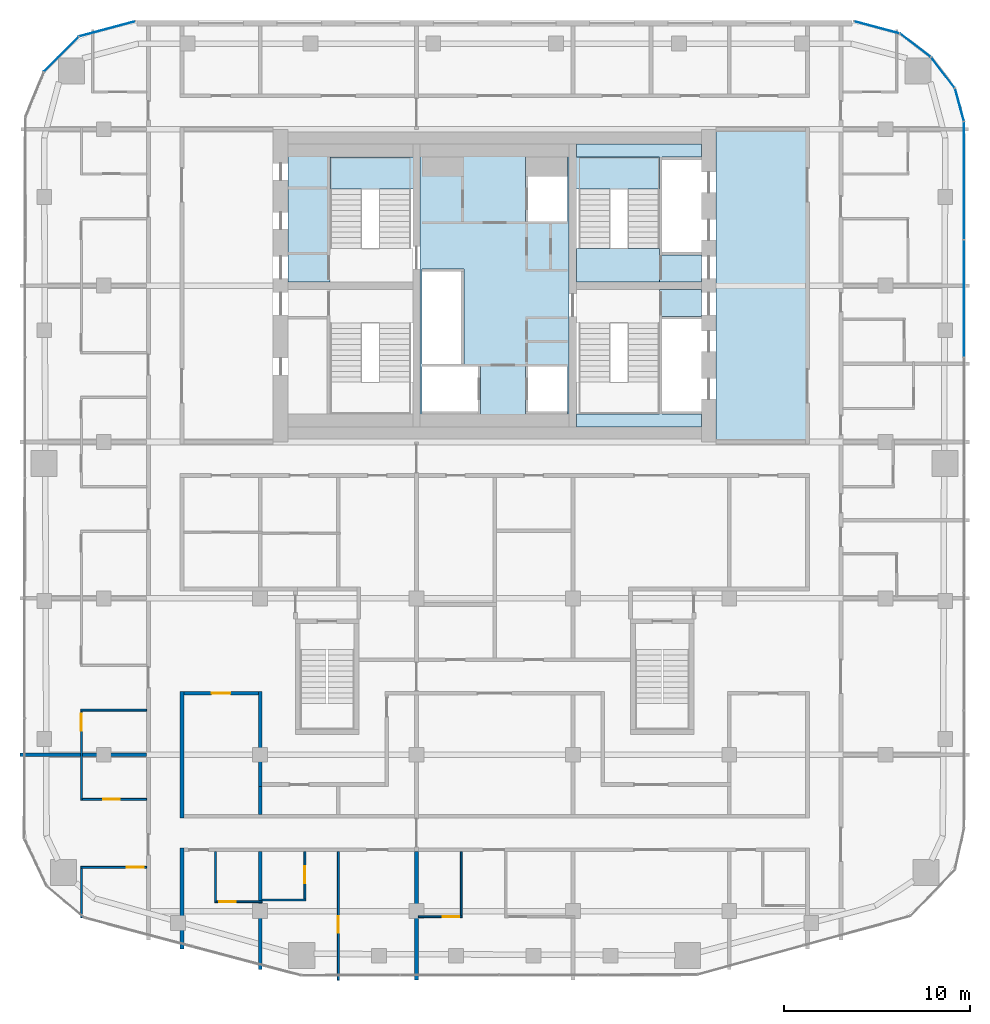
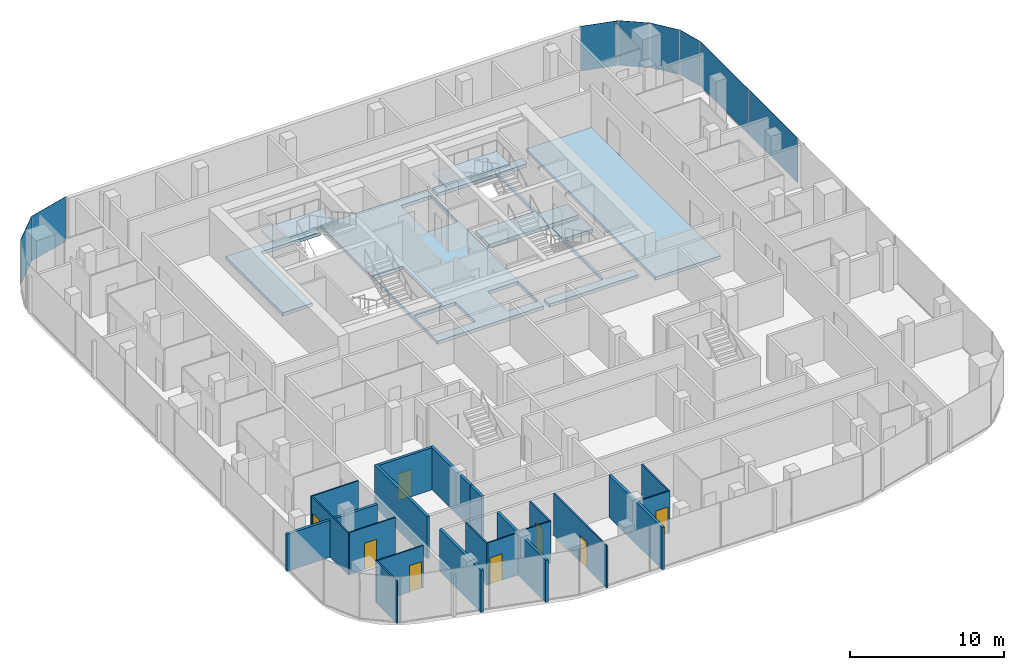
# One storey, part 13 of 21: 20 walls, 8 doors, 8 plates, 8 slabs, 8 openings, 9 elements without a shape of their own.
"""IFC4 building model written with IfcOpenShell, lengths in metres."""

import ifcopenshell
import ifcopenshell.guid

model = None  # the IFC model being written
_history = None  # IfcOwnerHistory: only IFC2X3 demands one
_inside = {}  # id of a spatial element -> (the spatial element, [elements in it])
_under = {}  # id of a project, library or spatial element -> (it, [spatial elements below it])
_declared = {}  # id of a project -> (the project, [libraries it declares])
_typed = {}  # id of a type object -> (the type object, [elements of that type])
_made_of = {}  # id of a material, layer set ... -> (it, [elements and type objects made of it])


def new_model(schema):
    """Start an empty IFC model of exactly this schema.

    Asked for "IFC4X3", IfcOpenShell would pick the latest addendum, in which some entities
    have other attributes; the version numbers below select the first issue.
    IFC2X3 requires an IfcOwnerHistory on every rooted entity: one is made here for all.
    """
    global model, _history
    if schema == "IFC4X3":
        model = ifcopenshell.file(schema_version=(4, 3, 0, 0))
    else:
        model = ifcopenshell.file(schema=schema)
    _inside.clear()
    _under.clear()
    _declared.clear()
    _typed.clear()
    _made_of.clear()
    _history = None
    if model.schema == "IFC2X3":
        org = make("IfcOrganization", Name="unknown")
        user = make(
            "IfcPersonAndOrganization",
            ThePerson=make("IfcPerson", FamilyName="unknown"),
            TheOrganization=org,
        )
        app = make(
            "IfcApplication",
            ApplicationDeveloper=org,
            Version="unknown",
            ApplicationFullName="unknown",
            ApplicationIdentifier="unknown",
        )
        _history = make(
            "IfcOwnerHistory",
            OwningUser=user,
            OwningApplication=app,
            ChangeAction="ADDED",
            CreationDate=0,
        )
    return model


def make(cls, **values):
    """One entity of the class cls with the attributes given. An attribute that is None is left unset."""
    return model.create_entity(
        cls, **{name: value for name, value in values.items() if value is not None}
    )


def rooted(cls, **values):
    """An entity with a GlobalId (a new one), such as an element, a storey or a relation."""
    return make(cls, GlobalId=ifcopenshell.guid.new(), OwnerHistory=_history, **values)


def si_unit(unit_type, name, prefix=None):
    """IfcSIUnit, for example si_unit("LENGTHUNIT", "METRE", prefix="MILLI")."""
    return make("IfcSIUnit", UnitType=unit_type, Prefix=prefix, Name=name)


def assignment(units):
    """IfcUnitAssignment: the units of a project."""
    return None if units is None else make("IfcUnitAssignment", Units=units)


def point(xyz):
    """IfcCartesianPoint."""
    return None if xyz is None else make("IfcCartesianPoint", Coordinates=xyz)


def direction(xyz):
    """IfcDirection."""
    return None if xyz is None else make("IfcDirection", DirectionRatios=xyz)


def frame(location, z_axis=None, x_axis=None):
    """IfcAxis2Placement3D, a coordinate frame: its origin and axes. An axis left out is left unset."""
    return make(
        "IfcAxis2Placement3D",
        Location=point(location),
        Axis=direction(z_axis),
        RefDirection=direction(x_axis),
    )


def frame_2d(location, x_axis=None):
    """IfcAxis2Placement2D, a coordinate frame in the plane: its origin and x axis."""
    return make(
        "IfcAxis2Placement2D", Location=point(location), RefDirection=direction(x_axis)
    )


def origin():
    """The frame at (0, 0, 0) with its axes left unset."""
    return frame((0.0, 0.0, 0.0))


def origin_2d():
    """The frame at (0, 0) in the plane with its x axis left unset."""
    return frame_2d((0.0, 0.0))


def place(relative_to, where):
    """IfcLocalPlacement: puts the frame where relative to a parent placement (None: the world)."""
    return make(
        "IfcLocalPlacement", PlacementRelTo=relative_to, RelativePlacement=where
    )


def context(
    kind, dimensions, precision=None, world=None, true_north=None, identifier=None
):
    """IfcGeometricRepresentationContext, for example the 3D "Model" context."""
    return make(
        "IfcGeometricRepresentationContext",
        ContextIdentifier=identifier,
        ContextType=kind,
        CoordinateSpaceDimension=dimensions,
        Precision=precision,
        WorldCoordinateSystem=world,
        TrueNorth=true_north,
    )


def subcontext(parent, identifier, kind, view, scale=None):
    """IfcGeometricRepresentationSubContext, for example "Body" below "Model"."""
    return make(
        "IfcGeometricRepresentationSubContext",
        ContextIdentifier=identifier,
        ContextType=kind,
        ParentContext=parent,
        TargetScale=scale,
        TargetView=view,
    )


def project(units=None, contexts=None):
    """IfcProject with its units and contexts."""
    return rooted(
        "IfcProject",
        Name="project",
        RepresentationContexts=contexts,
        UnitsInContext=assignment(units),
    )


def spatial(cls, under=None, at=None, **own):
    """A site, building, storey or space (cls), placed at a placement, below another one or the project."""
    s = rooted(cls, ObjectPlacement=at, **own)
    if under is not None:
        _under.setdefault(under.id(), (under, []))[1].append(s)
    return s


def polyline(points):
    """IfcPolyline through the points."""
    return make("IfcPolyline", Points=[point(p) for p in points])


def profile(cls, at=None, kind="AREA", **sizes):
    """A parametric profile (cls). Its sizes go by their IFC names, for example OverallWidth=200.0."""
    return make(cls, ProfileType=kind, Position=at, **sizes)


def rectangle(**sizes):
    """IfcRectangleProfileDef."""
    return profile("IfcRectangleProfileDef", **sizes)


def outline(outer, holes=None, kind="AREA"):
    """IfcArbitraryClosedProfileDef: a profile drawn as a closed curve; with holes, ...WithVoids."""
    if holes is None:
        return make("IfcArbitraryClosedProfileDef", ProfileType=kind, OuterCurve=outer)
    return make(
        "IfcArbitraryProfileDefWithVoids",
        ProfileType=kind,
        OuterCurve=outer,
        InnerCurves=holes,
    )


def extrude(swept, where, along, depth):
    """IfcExtrudedAreaSolid: the profile swept, set in the frame where, extruded along a direction by depth."""
    return make(
        "IfcExtrudedAreaSolid",
        SweptArea=swept,
        Position=where,
        ExtrudedDirection=direction(along),
        Depth=depth,
    )


def shape(context_of_items, identifier, shape_type, items):
    """IfcShapeRepresentation: the items that make up one representation, for example the "Body"."""
    return make(
        "IfcShapeRepresentation",
        ContextOfItems=context_of_items,
        RepresentationIdentifier=identifier,
        RepresentationType=shape_type,
        Items=items,
    )


def material(Name=None, Category=None):
    """IfcMaterial."""
    return make("IfcMaterial", Name=Name, Category=Category)


def layer(
    of_material, thickness, ventilated=None, Name=None, Category=None, Priority=None
):
    """IfcMaterialLayer: one layer of a wall or slab, of a material (None: an air gap)."""
    return make(
        "IfcMaterialLayer",
        Material=of_material,
        LayerThickness=thickness,
        IsVentilated=ventilated,
        Name=Name,
        Category=Category,
        Priority=Priority,
    )


def layer_set(layers, Name=None):
    """IfcMaterialLayerSet."""
    return make("IfcMaterialLayerSet", MaterialLayers=layers, LayerSetName=Name)


def made_of(thing, what):
    """Note that an element or type object is made of a material, layer set ...; save() writes the relation."""
    if what is not None:
        _made_of.setdefault(what.id(), (what, []))[1].append(thing)
    return thing


def type_object(cls, material=None, **own):
    """A type object (cls), such as IfcWallType, which elements share."""
    return made_of(rooted(cls, **own), material)


def element(
    cls,
    number,
    at=None,
    inside=None,
    cuts=None,
    type_object=None,
    material=None,
    context=None,
    identifier="Body",
    shape_type=None,
    held_by="IfcProductDefinitionShape",
    body=None,
    shapes=None,
    **own,
):
    """One element of the class cls, such as IfcWall. Its Tag is "e" and its number.

    at: its placement. inside: the storey or other place that contains it. cuts: it is an
    opening in that element (IfcRelVoidsElement). A single representation is given by context,
    identifier, shape_type and body (its items); several are given by shapes. held_by: the class
    of the entity that holds the representations. save() writes the other relations.
    """
    e = rooted(cls, Tag="e%d" % number, ObjectPlacement=at, **own)
    if body is not None:
        shapes = [shape(context, identifier, shape_type, body)]
    if shapes is not None:
        e.Representation = make(held_by, Representations=shapes)
    if inside is not None:
        _inside.setdefault(inside.id(), (inside, []))[1].append(e)
    if cuts is not None:
        rooted(
            "IfcRelVoidsElement", RelatingBuildingElement=cuts, RelatedOpeningElement=e
        )
    if type_object is not None:
        _typed.setdefault(type_object.id(), (type_object, []))[1].append(e)
    return made_of(e, material)


def fill(opening, filler):
    """IfcRelFillsElement: the door or window that sits in an opening."""
    return rooted(
        "IfcRelFillsElement",
        RelatingOpeningElement=opening,
        RelatedBuildingElement=filler,
    )


def aggregate(whole, parts):
    """IfcRelAggregates: a whole, such as a stair, and the parts it consists of."""
    return rooted("IfcRelAggregates", RelatingObject=whole, RelatedObjects=parts)


def save(model, path):
    """Write the relations noted so far, then the file.

    IfcRelAggregates (storeys below a building ...), IfcRelContainedInSpatialStructure (elements
    in a storey), IfcRelDefinesByType, IfcRelAssociatesMaterial and IfcRelDeclares: one each for
    every whole, place, type object, material and project.
    """
    for whole, parts in _under.values():
        aggregate(whole, parts)
    for where, things in _inside.values():
        rooted(
            "IfcRelContainedInSpatialStructure",
            RelatedElements=things,
            RelatingStructure=where,
        )
    for kind, things in _typed.values():
        rooted("IfcRelDefinesByType", RelatedObjects=things, RelatingType=kind)
    for what, things in _made_of.values():
        rooted("IfcRelAssociatesMaterial", RelatedObjects=things, RelatingMaterial=what)
    for by, libraries in _declared.values():
        rooted("IfcRelDeclares", RelatingContext=by, RelatedDefinitions=libraries)
    model.write(path)


model = new_model("IFC4")

# Units and contexts
model_context = context("Model", 3, precision=1e-05, world=origin(), true_north=direction((0.0, 1.0)))
body_context = subcontext(model_context, "Body", "Model", "MODEL_VIEW")
ifc_project = project(units=[si_unit("LENGTHUNIT", "METRE"), si_unit("AREAUNIT", "SQUARE_METRE"), si_unit("VOLUMEUNIT", "CUBIC_METRE"), si_unit("PLANEANGLEUNIT", "RADIAN"), si_unit("MASSUNIT", "GRAM", prefix="KILO")], contexts=[model_context])

# Site, building, storey
site_placement = place(None, origin())
site = spatial("IfcSite", under=ifc_project, at=site_placement, CompositionType="ELEMENT")
building_placement = place(site_placement, origin())
building = spatial("IfcBuilding", under=site, at=building_placement, Name="Marenta Gate Hotel Tower", CompositionType="ELEMENT")
storey_placement = place(building_placement, frame((0.0, 0.0, 245.300048828125)))
storey = spatial("IfcBuildingStorey", under=building, at=storey_placement, Name="L58", CompositionType="ELEMENT", Elevation=245.300048828125)

# Slabs
ifc_material_1 = material(Name="Concrete C40", Category="concrete")
ifc_layer_1 = layer(ifc_material_1, 0.260009765625)
ifc_layer_set_1 = layer_set([ifc_layer_1], Name="Concrete C40")
slab_type_1 = type_object("IfcSlabType", Name="Core floor slab 260", PredefinedType="FLOOR", material=ifc_layer_set_1)
slab_1_placement = place(storey_placement, frame((0.0, 0.0, -0.260009765625)))
element("IfcSlab", 1, at=slab_1_placement, inside=storey, type_object=slab_type_1, Name="L58-CF-1", PredefinedType="FLOOR", context=body_context, shape_type="SweptSolid", body=[
    extrude(outline(polyline([(11.89990234375, 0.0), (11.89990234375, 16.800048828125), (16.800048828125, 16.800048828125), (16.800048828125, 0.0), (11.89990234375, 0.0)])), origin(), (0.0, 0.0, 1.0), 0.260009765625),
])
slab_2_placement = place(storey_placement, frame((0.0, 0.0, -0.260009765625)))
element("IfcSlab", 2, at=slab_2_placement, inside=storey, type_object=slab_type_1, Name="L58-CF-2", PredefinedType="FLOOR", context=body_context, shape_type="SweptSolid", body=[
    extrude(outline(polyline([(8.85009765625, 1.5), (8.85009765625, 6.39990234375), (8.85009765625, 8.10009765625), (8.85009765625, 8.199951171875), (11.10009765625, 8.199951171875), (11.10009765625, 6.75), (9.0, 6.75), (9.0, 6.60009765625), (9.0, 4.199951171875), (9.0, 4.050048828125), (9.0, 1.64990234375), (9.0, 1.5), (11.10009765625, 1.5), (11.10009765625, 0.800048828125), (4.39990234375, 0.800048828125), (4.39990234375, 1.5), (8.85009765625, 1.5)])), origin(), (0.0, 0.0, 1.0), 0.260009765625),
])
slab_3_placement = place(storey_placement, frame((0.0, 0.0, -0.260009765625)))
element("IfcSlab", 3, at=slab_3_placement, inside=storey, type_object=slab_type_1, Name="L58-CF-3", PredefinedType="FLOOR", context=body_context, shape_type="SweptSolid", body=[
    extrude(outline(polyline([(8.85009765625, 15.300048828125), (4.39990234375, 15.300048828125), (4.39990234375, 16.0), (11.10009765625, 16.0), (11.10009765625, 15.300048828125), (9.0, 15.300048828125), (9.0, 15.14990234375), (9.0, 12.75), (9.0, 12.60009765625), (9.0, 10.199951171875), (9.0, 10.050048828125), (11.10009765625, 10.050048828125), (11.10009765625, 8.60009765625), (8.85009765625, 8.60009765625), (8.85009765625, 8.699951171875), (8.85009765625, 10.39990234375), (8.85009765625, 15.300048828125)])), origin(), (0.0, 0.0, 1.0), 0.260009765625),
])
slab_4_placement = place(storey_placement, frame((0.0, 0.0, -0.260009765625)))
element("IfcSlab", 4, at=slab_4_placement, inside=storey, type_object=slab_type_1, Name="L58-CF-4", PredefinedType="FLOOR", context=body_context, shape_type="SweptSolid", body=[
    extrude(outline(polyline([(4.0, 15.300048828125), (4.0, 10.39990234375), (4.0, 6.39990234375), (4.0, 1.5), (4.0, 0.800048828125), (-4.0, 0.800048828125), (-4.0, 1.5), (-4.0, 6.39990234375), (-4.0, 10.39990234375), (-4.0, 15.300048828125), (-4.0, 16.0), (4.0, 16.0), (4.0, 15.300048828125)]), holes=[polyline([(1.64990234375, 14.25), (1.64990234375, 11.85009765625), (1.800048828125, 11.85009765625), (3.89990234375, 11.85009765625), (3.89990234375, 14.25), (3.89990234375, 15.300048828125), (1.64990234375, 15.300048828125), (1.64990234375, 14.25)]), polyline([(3.89990234375, 1.64990234375), (3.89990234375, 4.050048828125), (1.800048828125, 4.050048828125), (1.64990234375, 4.050048828125), (1.64990234375, 1.64990234375), (1.64990234375, 1.5), (3.89990234375, 1.5), (3.89990234375, 1.64990234375)]), polyline([(-3.89990234375, 1.64990234375), (-3.89990234375, 1.5), (-0.89990234375, 1.5), (-0.75, 1.5), (-0.75, 4.050048828125), (-0.89990234375, 4.050048828125), (-3.89990234375, 4.050048828125), (-3.89990234375, 1.64990234375)]), polyline([(-1.800048828125, 4.199951171875), (-1.64990234375, 4.199951171875), (-1.64990234375, 9.14990234375), (-1.64990234375, 9.300048828125), (-3.89990234375, 9.300048828125), (-3.89990234375, 9.14990234375), (-3.89990234375, 6.75), (-3.89990234375, 6.60009765625), (-3.89990234375, 4.199951171875), (-1.800048828125, 4.199951171875)])]), origin(), (0.0, 0.0, 1.0), 0.260009765625),
])
slab_5_placement = place(storey_placement, frame((0.0, 0.0, -0.260009765625)))
element("IfcSlab", 5, at=slab_5_placement, inside=storey, type_object=slab_type_1, Name="L58-CF-6", PredefinedType="FLOOR", context=body_context, shape_type="SweptSolid", body=[
    extrude(outline(polyline([(-4.39990234375, 15.300048828125), (-8.85009765625, 15.300048828125), (-8.85009765625, 10.39990234375), (-8.85009765625, 8.699951171875), (-8.85009765625, 8.60009765625), (-11.10009765625, 8.60009765625), (-11.10009765625, 16.0), (-4.39990234375, 16.0), (-4.39990234375, 15.300048828125)])), origin(), (0.0, 0.0, 1.0), 0.260009765625),
])

# Stair, slab
ifc_material_2 = material(Name="Concrete C40", Category="concrete")
stair_type = type_object("IfcStairType", Name="Core exit stair 1700 wide", PredefinedType="HALF_TURN_STAIR", material=ifc_material_2)
stair_1_placement = place(storey_placement, origin())
stair_1 = element("IfcStair", 6, at=stair_1_placement, inside=storey, type_object=stair_type, Name="Exit stair 2", PredefinedType="HALF_TURN_STAIR")
ifc_material_3 = material(Name="Concrete C40", Category="concrete")
ifc_layer_2 = layer(ifc_material_3, 0.199951171875)
ifc_layer_set_2 = layer_set([ifc_layer_2], Name="Concrete C40")
slab_type_2 = type_object("IfcSlabType", Name="Core stair landing 200", PredefinedType="LANDING", material=ifc_layer_set_2)
slab_6_placement = place(storey_placement, frame((0.0, 0.0, 1.599853515625)))
slab_6 = element("IfcSlab", 7, at=slab_6_placement, type_object=slab_type_2, Name="SL-200 ST2 landing 1", PredefinedType="LANDING", context=body_context, shape_type="SweptSolid", body=[
    extrude(outline(polyline([(-8.85009765625, 13.590087890625), (-4.0, 13.590087890625), (-4.0, 15.300048828125), (-8.85009765625, 15.300048828125), (-8.85009765625, 13.590087890625)])), origin(), (0.0, 0.0, 1.0), 0.2001953125),
])
aggregate(stair_1, [slab_6])

stair_2_placement = place(storey_placement, origin())
stair_2 = element("IfcStair", 8, at=stair_2_placement, inside=storey, type_object=stair_type, Name="Exit stair 4", PredefinedType="HALF_TURN_STAIR")
slab_7_placement = place(storey_placement, frame((0.0, 0.0, 1.599853515625)))
slab_7 = element("IfcSlab", 9, at=slab_7_placement, type_object=slab_type_2, Name="SL-200 ST4 landing 1", PredefinedType="LANDING", context=body_context, shape_type="SweptSolid", body=[
    extrude(outline(polyline([(4.0, 13.590087890625), (8.85009765625, 13.590087890625), (8.85009765625, 15.300048828125), (4.0, 15.300048828125), (4.0, 13.590087890625)])), origin(), (0.0, 0.0, 1.0), 0.2001953125),
])
aggregate(stair_2, [slab_7])

# Curtain wall, plate
ifc_material_4 = material(Name="Tinted insulated glass in bronze anodised frame", Category="glass")
ifc_layer_3 = layer(ifc_material_4, 0.1201171875)
ifc_layer_set_3 = layer_set([ifc_layer_3], Name="Tinted insulated glass in bronze anodised frame")
curtain_wall_type = type_object("IfcCurtainWallType", Name="Tower unitised curtain wall CW1", PredefinedType="NOTDEFINED", material=ifc_layer_set_3)
curtain_wall_1_placement = place(storey_placement, origin())
curtain_wall_1 = element("IfcCurtainWall", 10, at=curtain_wall_1_placement, inside=storey, type_object=curtain_wall_type, Name="CW1 run G00", PredefinedType="NOTDEFINED")
ifc_material_5 = material(Name="Tinted insulated glass", Category="glass")
ifc_layer_4 = layer(ifc_material_5, 0.028076171875)
ifc_layer_set_4 = layer_set([ifc_layer_4], Name="Tinted insulated glass")
plate_type = type_object("IfcPlateType", Name="Glass panel CW1 28 mm tinted insulated unit", PredefinedType="CURTAIN_PANEL", material=ifc_layer_set_4)
plate_1_placement = place(storey_placement, frame((-20.813720703125, 22.19384765625, 0.059814453125), z_axis=(0.0, 0.0, 1.0), x_axis=(-0.965930559685, -0.258801379183, 0.0)))
plate_1 = element("IfcPlate", 11, at=plate_1_placement, type_object=plate_type, Name="CW1 panel 1.1", PredefinedType="CURTAIN_PANEL", context=body_context, shape_type="SweptSolid", body=[
    extrude(rectangle(XDim=3.104248046875, YDim=0.028076171875, at=origin_2d()), origin(), (0.0, 0.0, 1.0), 3.5400390625),
])
aggregate(curtain_wall_1, [plate_1])

curtain_wall_2_placement = place(storey_placement, origin())
curtain_wall_2 = element("IfcCurtainWall", 12, at=curtain_wall_2_placement, inside=storey, type_object=curtain_wall_type, Name="CW1 run G01", PredefinedType="NOTDEFINED")
plate_2_placement = place(storey_placement, frame((-23.279541015625, 20.825439453125, 0.059814453125), z_axis=(0.0, 0.0, 1.0), x_axis=(-0.707106781187, -0.707106781187, 0.0)))
plate_2 = element("IfcPlate", 13, at=plate_2_placement, type_object=plate_type, Name="CW1 panel 1.1", PredefinedType="CURTAIN_PANEL", context=body_context, shape_type="SweptSolid", body=[
    extrude(rectangle(XDim=2.614013671875, YDim=0.028076171875, at=origin_2d()), origin(), (0.0, 0.0, 1.0), 3.5400390625),
])
aggregate(curtain_wall_2, [plate_2])

# Curtain wall, plates
curtain_wall_3_placement = place(storey_placement, origin())
curtain_wall_3 = element("IfcCurtainWall", 14, at=curtain_wall_3_placement, inside=storey, type_object=curtain_wall_type, Name="CW1 run G11", PredefinedType="NOTDEFINED")
plate_3_placement = place(storey_placement, frame((25.214111328125, 7.7080078125, 0.059814453125), z_axis=(0.0, 0.0, 1.0), x_axis=(0.0, 1.0, 0.0)))
plate_3 = element("IfcPlate", 15, at=plate_3_placement, type_object=plate_type, Name="CW1 panel 5.1", PredefinedType="CURTAIN_PANEL", context=body_context, shape_type="SweptSolid", body=[
    extrude(rectangle(XDim=6.2626953125, YDim=0.028076171875, at=origin_2d()), origin(), (0.0, 0.0, 1.0), 3.5400390625),
])
plate_4_placement = place(storey_placement, frame((25.214111328125, 14.045654296875, 0.059814453125), z_axis=(0.0, 0.0, 1.0), x_axis=(0.0, 1.0, 0.0)))
plate_4 = element("IfcPlate", 16, at=plate_4_placement, type_object=plate_type, Name="CW1 panel 6.1", PredefinedType="CURTAIN_PANEL", context=body_context, shape_type="SweptSolid", body=[
    extrude(rectangle(XDim=6.29248046875, YDim=0.028076171875, at=origin_2d()), origin(), (0.0, 0.0, 1.0), 3.5400390625),
])
aggregate(curtain_wall_3, [plate_3, plate_4])

# Curtain wall, plate
curtain_wall_4_placement = place(storey_placement, origin())
curtain_wall_4 = element("IfcCurtainWall", 17, at=curtain_wall_4_placement, inside=storey, type_object=curtain_wall_type, Name="CW1 run G12", PredefinedType="NOTDEFINED")
plate_5_placement = place(storey_placement, frame((24.96630859375, 18.1162109375, 0.059814453125), z_axis=(0.0, 0.0, 1.0), x_axis=(-0.258824166754, 0.965924453932, 0.0)))
plate_5 = element("IfcPlate", 18, at=plate_5_placement, type_object=plate_type, Name="CW1 panel 1.1", PredefinedType="CURTAIN_PANEL", context=body_context, shape_type="SweptSolid", body=[
    extrude(rectangle(XDim=1.793701171875, YDim=0.028076171875, at=origin_2d()), origin(), (0.0, 0.0, 1.0), 3.5400390625),
])
aggregate(curtain_wall_4, [plate_5])

curtain_wall_5_placement = place(storey_placement, origin())
curtain_wall_5 = element("IfcCurtainWall", 19, at=curtain_wall_5_placement, inside=storey, type_object=curtain_wall_type, Name="CW1 run G13", PredefinedType="NOTDEFINED")
plate_6_placement = place(storey_placement, frame((24.0751953125, 19.84130859375, 0.059814453125), z_axis=(0.0, 0.0, 1.0), x_axis=(-0.608787499222, 0.793333335233, 0.0)))
plate_6 = element("IfcPlate", 20, at=plate_6_placement, type_object=plate_type, Name="CW1 panel 1.1", PredefinedType="CURTAIN_PANEL", context=body_context, shape_type="SweptSolid", body=[
    extrude(rectangle(XDim=2.045166015625, YDim=0.028076171875, at=origin_2d()), origin(), (0.0, 0.0, 1.0), 3.5400390625),
])
aggregate(curtain_wall_5, [plate_6])

curtain_wall_6_placement = place(storey_placement, origin())
curtain_wall_6 = element("IfcCurtainWall", 21, at=curtain_wall_6_placement, inside=storey, type_object=curtain_wall_type, Name="CW1 run G14", PredefinedType="NOTDEFINED")
plate_7_placement = place(storey_placement, frame((22.59375, 21.311767578125, 0.059814453125), z_axis=(0.0, 0.0, 1.0), x_axis=(-0.793333335233, 0.608787499222, 0.0)))
plate_7 = element("IfcPlate", 22, at=plate_7_placement, type_object=plate_type, Name="CW1 panel 1.1", PredefinedType="CURTAIN_PANEL", context=body_context, shape_type="SweptSolid", body=[
    extrude(rectangle(XDim=2.045166015625, YDim=0.028076171875, at=origin_2d()), origin(), (0.0, 0.0, 1.0), 3.5400390625),
])
aggregate(curtain_wall_6, [plate_7])

curtain_wall_7_placement = place(storey_placement, origin())
curtain_wall_7 = element("IfcCurtainWall", 23, at=curtain_wall_7_placement, inside=storey, type_object=curtain_wall_type, Name="CW1 run G15", PredefinedType="NOTDEFINED")
plate_8_placement = place(storey_placement, frame((20.51953125, 22.272705078125, 0.059814453125), z_axis=(0.0, 0.0, 1.0), x_axis=(-0.96592961764, 0.258804895175, 0.0)))
plate_8 = element("IfcPlate", 24, at=plate_8_placement, type_object=plate_type, Name="CW1 panel 1.1", PredefinedType="CURTAIN_PANEL", context=body_context, shape_type="SweptSolid", body=[
    extrude(rectangle(XDim=2.4951171875, YDim=0.028076171875, at=origin_2d()), origin(), (0.0, 0.0, 1.0), 3.5400390625),
])
aggregate(curtain_wall_7, [plate_8])

# Slab
ifc_material_6 = material(Name="Concrete C40", Category="concrete")
ifc_layer_5 = layer(ifc_material_6, 0.300048828125)
ifc_layer_set_5 = layer_set([ifc_layer_5], Name="Concrete C40")
slab_type_3 = type_object("IfcSlabType", Name="Stair floor landing slab 300", PredefinedType="FLOOR", material=ifc_layer_set_5)
slab_8_placement = place(storey_placement, frame((0.0, 0.0, -0.300048828125)))
element("IfcSlab", 25, at=slab_8_placement, inside=storey, type_object=slab_type_3, Name="L58-CL-ST4-1", PredefinedType="FLOOR", context=body_context, shape_type="SweptSolid", body=[
    extrude(outline(polyline([(4.39990234375, 8.60009765625), (4.39990234375, 10.39990234375), (8.85009765625, 10.39990234375), (8.85009765625, 8.699951171875), (8.85009765625, 8.60009765625), (4.39990234375, 8.60009765625)])), origin(), (0.0, 0.0, 1.0), 0.300048828125),
])

# Wall
ifc_material_7 = material(Name="Concrete blockwork", Category="masonry")
ifc_layer_6 = layer(ifc_material_7, 0.199951171875)
ifc_layer_set_6 = layer_set([ifc_layer_6], Name="Concrete blockwork")
wall_type_1 = type_object("IfcWallType", Name="Compartment wall 200 REI 180", PredefinedType="PARTITIONING", material=ifc_layer_set_6)
wall_1_placement = place(storey_placement, frame((-4.199951171875, -28.89990234375, 0.0), z_axis=(0.0, 0.0, 1.0), x_axis=(0.0, 1.0, 0.0)))
element("IfcWall", 26, at=wall_1_placement, inside=storey, type_object=wall_type_1, Name="L58-PTN-W069", PredefinedType="PARTITIONING", context=body_context, shape_type="SweptSolid", body=[
    extrude(rectangle(XDim=6.89990234375, YDim=0.199951171875, at=frame_2d((3.449951171875, 0.0))), origin(), (0.0, 0.0, 1.0), 3.33984375),
])

# Wall, opening, door
ifc_material_8 = material(Name="Gypsum board on steel stud", Category="steel")
ifc_layer_7 = layer(ifc_material_8, 0.199951171875)
ifc_layer_set_7 = layer_set([ifc_layer_7], Name="Gypsum board on steel stud")
wall_type_2 = type_object("IfcWallType", Name="Room corridor wall 200 EI 60", PredefinedType="PARTITIONING", material=ifc_layer_set_7)
wall_2_placement = place(storey_placement, frame((-16.699951171875, -13.5, 0.0), z_axis=(0.0, 0.0, 1.0), x_axis=(1.0, 0.0, 0.0)))
wall_2 = element("IfcWall", 27, at=wall_2_placement, inside=storey, type_object=wall_type_2, Name="L58-PTN-W028", PredefinedType="PARTITIONING", context=body_context, shape_type="SweptSolid", body=[
    extrude(rectangle(XDim=4.0, YDim=0.199951171875, at=frame_2d((2.0, 0.0))), origin(), (0.0, 0.0, 1.0), 3.33984375),
])
opening_1_placement = place(wall_2_placement, frame((1.5, 0.0, 0.0)))
opening_1 = element("IfcOpeningElement", 28, at=opening_1_placement, cuts=wall_2, Name="Opening G21-08", PredefinedType="OPENING", context=body_context, shape_type="SweptSolid", body=[
    extrude(rectangle(XDim=1.0, YDim=2.10009765625, at=frame_2d((0.5, 1.050048828125))), frame((0.0, 0.10009765625, 0.0), z_axis=(0.0, -1.0, 0.0), x_axis=(1.0, 0.0, 0.0)), (0.0, 0.0, 1.0), 0.199951171875),
])
ifc_material_9 = material(Name="Timber door leaf", Category="wood")
door_type_1 = type_object("IfcDoorType", Name="Room amenity door 1000x2100 EI 30", OperationType="NOTDEFINED", PredefinedType="DOOR", material=ifc_material_9)
door_1_placement = place(opening_1_placement, origin())
door_1 = element("IfcDoor", 29, at=door_1_placement, inside=storey, type_object=door_type_1, Name="L58-PD-D008", OperationType="SINGLE_SWING_RIGHT", OverallHeight=2.10009765625, OverallWidth=1.0, PredefinedType="DOOR", context=body_context, shape_type="SweptSolid", body=[
    extrude(rectangle(XDim=1.0, YDim=2.10009765625, at=frame_2d((0.5, 1.050048828125))), frame((0.0, 0.02490234375, 0.0), z_axis=(0.0, -1.0, 0.0), x_axis=(1.0, 0.0, 0.0)), (0.0, 0.0, 1.0), 0.050048828125),
])
fill(opening_1, door_1)

# Walls
wall_3_placement = place(storey_placement, frame((-12.60009765625, -18.5, 0.0), z_axis=(0.0, 0.0, 1.0), x_axis=(0.0, 1.0, 0.0)))
element("IfcWall", 30, at=wall_3_placement, inside=storey, type_object=wall_type_2, Name="L58-PTN-W091", PredefinedType="PARTITIONING", context=body_context, shape_type="SweptSolid", body=[
    extrude(rectangle(XDim=5.10009765625, YDim=0.199951171875, at=frame_2d((2.550048828125, 0.0))), origin(), (0.0, 0.0, 1.0), 3.33984375),
])
wall_4_placement = place(storey_placement, frame((-16.800048828125, -27.22900390625, 0.0), z_axis=(0.0, 0.0, 1.0), x_axis=(0.0, 1.0, 0.0)))
element("IfcWall", 31, at=wall_4_placement, inside=storey, type_object=wall_type_2, Name="L58-PTN-W095", PredefinedType="PARTITIONING", context=body_context, shape_type="SweptSolid", body=[
    extrude(rectangle(XDim=5.428955078125, YDim=0.199951171875, at=frame_2d((2.71435546875, 0.0))), origin(), (0.0, 0.0, 1.0), 3.33984375),
])
wall_5_placement = place(storey_placement, frame((-16.800048828125, -20.199951171875, 0.0), z_axis=(0.0, 0.0, 1.0), x_axis=(0.0, 1.0, 0.0)))
element("IfcWall", 32, at=wall_5_placement, inside=storey, type_object=wall_type_2, Name="L58-PTN-W096", PredefinedType="PARTITIONING", context=body_context, shape_type="SweptSolid", body=[
    extrude(rectangle(XDim=6.800048828125, YDim=0.199951171875, at=frame_2d((3.39990234375, 0.0))), origin(), (0.0, 0.0, 1.0), 3.33984375),
])

# Wall, opening, door
ifc_material_10 = material(Name="Gypsum board on steel stud", Category="steel")
ifc_layer_8 = layer(ifc_material_10, 0.10009765625)
ifc_layer_set_8 = layer_set([ifc_layer_8], Name="Gypsum board on steel stud")
wall_type_3 = type_object("IfcWallType", Name="Room partition 100", PredefinedType="PARTITIONING", material=ifc_layer_set_8)
wall_6_placement = place(storey_placement, frame((-4.10009765625, -25.5, 0.0), z_axis=(0.0, 0.0, 1.0), x_axis=(1.0, 0.0, 0.0)))
wall_6 = element("IfcWall", 33, at=wall_6_placement, inside=storey, type_object=wall_type_3, Name="L58-PTN-W001", PredefinedType="PARTITIONING", context=body_context, shape_type="SweptSolid", body=[
    extrude(rectangle(XDim=2.35009765625, YDim=0.10009765625, at=frame_2d((1.175048828125, 0.0))), origin(), (0.0, 0.0, 1.0), 3.33984375),
])
opening_2_placement = place(wall_6_placement, frame((1.300048828125, 0.0, 0.0)))
opening_2 = element("IfcOpeningElement", 34, at=opening_2_placement, cuts=wall_6, Name="Opening G21-40", PredefinedType="OPENING", context=body_context, shape_type="SweptSolid", body=[
    extrude(rectangle(XDim=0.89990234375, YDim=2.10009765625, at=frame_2d((0.449951171875, 1.050048828125))), frame((0.0, 0.050048828125, 0.0), z_axis=(0.0, -1.0, 0.0), x_axis=(1.0, 0.0, 0.0)), (0.0, 0.0, 1.0), 0.10009765625),
])
ifc_material_11 = material(Name="Timber door leaf", Category="wood")
door_type_2 = type_object("IfcDoorType", Name="Room inner door 900x2100", OperationType="NOTDEFINED", PredefinedType="DOOR", material=ifc_material_11)
door_2_placement = place(opening_2_placement, origin())
door_2 = element("IfcDoor", 35, at=door_2_placement, inside=storey, type_object=door_type_2, Name="L58-PD-D040", OperationType="SINGLE_SWING_RIGHT", OverallHeight=2.10009765625, OverallWidth=0.89990234375, PredefinedType="DOOR", context=body_context, shape_type="SweptSolid", body=[
    extrude(rectangle(XDim=0.89990234375, YDim=2.10009765625, at=frame_2d((0.449951171875, 1.050048828125))), frame((0.0, 0.02490234375, 0.0), z_axis=(0.0, -1.0, 0.0), x_axis=(1.0, 0.0, 0.0)), (0.0, 0.0, 1.0), 0.050048828125),
])
fill(opening_2, door_2)

wall_7_placement = place(storey_placement, frame((-14.949951171875, -24.699951171875, 0.0), z_axis=(0.0, 0.0, 1.0), x_axis=(1.0, 0.0, 0.0)))
wall_7 = element("IfcWall", 36, at=wall_7_placement, inside=storey, type_object=wall_type_3, Name="L58-PTN-W004", PredefinedType="PARTITIONING", context=body_context, shape_type="SweptSolid", body=[
    extrude(rectangle(XDim=2.449951171875, YDim=0.10009765625, at=frame_2d((1.22509765625, 0.0))), origin(), (0.0, 0.0, 1.0), 3.33984375),
])
opening_3_placement = place(wall_7_placement, frame((0.14990234375, 0.0, 0.0)))
opening_3 = element("IfcOpeningElement", 37, at=opening_3_placement, cuts=wall_7, Name="Opening G21-34", PredefinedType="OPENING", context=body_context, shape_type="SweptSolid", body=[
    extrude(rectangle(XDim=0.89990234375, YDim=2.10009765625, at=frame_2d((0.449951171875, 1.050048828125))), frame((0.0, 0.050048828125, 0.0), z_axis=(0.0, -1.0, 0.0), x_axis=(1.0, 0.0, 0.0)), (0.0, 0.0, 1.0), 0.10009765625),
])
ifc_material_12 = material(Name="Timber door leaf", Category="wood")
door_type_3 = type_object("IfcDoorType", Name="Guest bathroom door 900x2100", OperationType="NOTDEFINED", PredefinedType="DOOR", material=ifc_material_12)
door_3_placement = place(opening_3_placement, origin())
door_3 = element("IfcDoor", 38, at=door_3_placement, inside=storey, type_object=door_type_3, Name="L58-PD-D034", OperationType="SINGLE_SWING_LEFT", OverallHeight=2.10009765625, OverallWidth=0.89990234375, PredefinedType="DOOR", context=body_context, shape_type="SweptSolid", body=[
    extrude(rectangle(XDim=0.89990234375, YDim=2.10009765625, at=frame_2d((0.449951171875, 1.050048828125))), frame((0.0, 0.02490234375, 0.0), z_axis=(0.0, -1.0, 0.0), x_axis=(1.0, 0.0, 0.0)), (0.0, 0.0, 1.0), 0.050048828125),
])
fill(opening_3, door_3)

# Wall
wall_8_placement = place(storey_placement, frame((-12.5, -24.60009765625, 0.0), z_axis=(0.0, 0.0, 1.0), x_axis=(1.0, 0.0, 0.0)))
element("IfcWall", 39, at=wall_8_placement, inside=storey, type_object=wall_type_3, Name="L58-PTN-W005", PredefinedType="PARTITIONING", context=body_context, shape_type="SweptSolid", body=[
    extrude(rectangle(XDim=2.35009765625, YDim=0.10009765625, at=frame_2d((1.175048828125, 0.0))), origin(), (0.0, 0.0, 1.0), 3.33984375),
])

# Wall, opening, door
wall_9_placement = place(storey_placement, frame((-22.25, -22.85107421875, 0.0), z_axis=(0.0, 0.0, 1.0), x_axis=(1.0, 0.0, 0.0)))
wall_9 = element("IfcWall", 40, at=wall_9_placement, inside=storey, type_object=wall_type_3, Name="L58-PTN-W006", PredefinedType="PARTITIONING", context=body_context, shape_type="SweptSolid", body=[
    extrude(rectangle(XDim=3.550048828125, YDim=0.10009765625, at=frame_2d((1.77490234375, 0.0))), origin(), (0.0, 0.0, 1.0), 3.33984375),
])
opening_4_placement = place(wall_9_placement, frame((2.489990234375, 0.0, 0.0)))
opening_4 = element("IfcOpeningElement", 41, at=opening_4_placement, cuts=wall_9, Name="Opening G21-45", PredefinedType="OPENING", context=body_context, shape_type="SweptSolid", body=[
    extrude(rectangle(XDim=0.89990234375, YDim=2.10009765625, at=frame_2d((0.449951171875, 1.050048828125))), frame((0.0, 0.050048828125, 0.0), z_axis=(0.0, -1.0, 0.0), x_axis=(1.0, 0.0, 0.0)), (0.0, 0.0, 1.0), 0.10009765625),
])
door_4_placement = place(opening_4_placement, origin())
door_4 = element("IfcDoor", 42, at=door_4_placement, inside=storey, type_object=door_type_3, Name="L58-PD-D045", OperationType="SINGLE_SWING_LEFT", OverallHeight=2.10009765625, OverallWidth=0.89990234375, PredefinedType="DOOR", context=body_context, shape_type="SweptSolid", body=[
    extrude(rectangle(XDim=0.89990234375, YDim=2.10009765625, at=frame_2d((0.449951171875, 1.050048828125))), frame((0.0, 0.02490234375, 0.0), z_axis=(0.0, -1.0, 0.0), x_axis=(1.0, 0.0, 0.0)), (0.0, 0.0, 1.0), 0.050048828125),
])
fill(opening_4, door_4)

wall_10_placement = place(storey_placement, frame((-22.14990234375, -19.199951171875, 0.0), z_axis=(0.0, 0.0, 1.0), x_axis=(1.0, 0.0, 0.0)))
wall_10 = element("IfcWall", 43, at=wall_10_placement, inside=storey, type_object=wall_type_3, Name="L58-PTN-W016", PredefinedType="PARTITIONING", context=body_context, shape_type="SweptSolid", body=[
    extrude(rectangle(XDim=3.449951171875, YDim=0.10009765625, at=frame_2d((1.72509765625, 0.0))), origin(), (0.0, 0.0, 1.0), 3.33984375),
])
opening_5_placement = place(wall_10_placement, frame((1.1201171875, 0.0, 0.0)))
opening_5 = element("IfcOpeningElement", 44, at=opening_5_placement, cuts=wall_10, Name="Opening G21-46", PredefinedType="OPENING", context=body_context, shape_type="SweptSolid", body=[
    extrude(rectangle(XDim=0.89990234375, YDim=2.10009765625, at=frame_2d((0.449951171875, 1.050048828125))), frame((0.0, 0.050048828125, 0.0), z_axis=(0.0, -1.0, 0.0), x_axis=(1.0, 0.0, 0.0)), (0.0, 0.0, 1.0), 0.10009765625),
])
door_5_placement = place(opening_5_placement, origin())
door_5 = element("IfcDoor", 45, at=door_5_placement, inside=storey, type_object=door_type_2, Name="L58-PD-D046", OperationType="SINGLE_SWING_LEFT", OverallHeight=2.10009765625, OverallWidth=0.89990234375, PredefinedType="DOOR", context=body_context, shape_type="SweptSolid", body=[
    extrude(rectangle(XDim=0.89990234375, YDim=2.10009765625, at=frame_2d((0.449951171875, 1.050048828125))), frame((0.0, 0.02490234375, 0.0), z_axis=(0.0, -1.0, 0.0), x_axis=(1.0, 0.0, 0.0)), (0.0, 0.0, 1.0), 0.050048828125),
])
fill(opening_5, door_5)

# Walls
wall_11_placement = place(storey_placement, frame((-22.25, -14.39990234375, 0.0), z_axis=(0.0, 0.0, 1.0), x_axis=(1.0, 0.0, 0.0)))
element("IfcWall", 46, at=wall_11_placement, inside=storey, type_object=wall_type_3, Name="L58-PTN-W027", PredefinedType="PARTITIONING", context=body_context, shape_type="SweptSolid", body=[
    extrude(rectangle(XDim=3.550048828125, YDim=0.10009765625, at=frame_2d((1.77490234375, 0.0))), origin(), (0.0, 0.0, 1.0), 3.33984375),
])
wall_12_placement = place(storey_placement, frame((-1.800048828125, -25.449951171875, 0.0), z_axis=(0.0, 0.0, 1.0), x_axis=(0.0, 1.0, 0.0)))
element("IfcWall", 47, at=wall_12_placement, inside=storey, type_object=wall_type_3, Name="L58-PTN-W066", PredefinedType="PARTITIONING", context=body_context, shape_type="SweptSolid", body=[
    extrude(rectangle(XDim=3.449951171875, YDim=0.10009765625, at=frame_2d((1.72509765625, 0.0))), origin(), (0.0, 0.0, 1.0), 3.33984375),
])

# Wall, opening, door
wall_13_placement = place(storey_placement, frame((-8.39990234375, -28.89990234375, 0.0), z_axis=(0.0, 0.0, 1.0), x_axis=(0.0, 1.0, 0.0)))
wall_13 = element("IfcWall", 48, at=wall_13_placement, inside=storey, type_object=wall_type_3, Name="L58-PTN-W078", PredefinedType="PARTITIONING", context=body_context, shape_type="SweptSolid", body=[
    extrude(rectangle(XDim=6.89990234375, YDim=0.10009765625, at=frame_2d((3.449951171875, 0.0))), origin(), (0.0, 0.0, 1.0), 3.33984375),
])
opening_6_placement = place(wall_13_placement, frame((2.530029296875, 0.0, 0.0)))
opening_6 = element("IfcOpeningElement", 49, at=opening_6_placement, cuts=wall_13, Name="Opening G21-36", PredefinedType="OPENING", context=body_context, shape_type="SweptSolid", body=[
    extrude(rectangle(XDim=0.89990234375, YDim=2.10009765625, at=frame_2d((0.449951171875, 1.050048828125))), frame((0.0, 0.050048828125, 0.0), z_axis=(0.0, -1.0, 0.0), x_axis=(1.0, 0.0, 0.0)), (0.0, 0.0, 1.0), 0.10009765625),
])
door_6_placement = place(opening_6_placement, origin())
door_6 = element("IfcDoor", 50, at=door_6_placement, inside=storey, type_object=door_type_2, Name="L58-PD-D036", OperationType="SINGLE_SWING_LEFT", OverallHeight=2.10009765625, OverallWidth=0.89990234375, PredefinedType="DOOR", context=body_context, shape_type="SweptSolid", body=[
    extrude(rectangle(XDim=0.89990234375, YDim=2.10009765625, at=frame_2d((0.449951171875, 1.050048828125))), frame((0.0, 0.02490234375, 0.0), z_axis=(0.0, -1.0, 0.0), x_axis=(1.0, 0.0, 0.0)), (0.0, 0.0, 1.0), 0.050048828125),
])
fill(opening_6, door_6)

wall_14_placement = place(storey_placement, frame((-10.199951171875, -24.550048828125, 0.0), z_axis=(0.0, 0.0, 1.0), x_axis=(0.0, 1.0, 0.0)))
wall_14 = element("IfcWall", 51, at=wall_14_placement, inside=storey, type_object=wall_type_3, Name="L58-PTN-W083", PredefinedType="PARTITIONING", context=body_context, shape_type="SweptSolid", body=[
    extrude(rectangle(XDim=2.550048828125, YDim=0.10009765625, at=frame_2d((1.27490234375, 0.0))), origin(), (0.0, 0.0, 1.0), 3.33984375),
])
opening_7_placement = place(wall_14_placement, frame((0.85009765625, 0.0, 0.0)))
opening_7 = element("IfcOpeningElement", 52, at=opening_7_placement, cuts=wall_14, Name="Opening G21-37", PredefinedType="OPENING", context=body_context, shape_type="SweptSolid", body=[
    extrude(rectangle(XDim=0.89990234375, YDim=2.10009765625, at=frame_2d((0.449951171875, 1.050048828125))), frame((0.0, 0.050048828125, 0.0), z_axis=(0.0, -1.0, 0.0), x_axis=(1.0, 0.0, 0.0)), (0.0, 0.0, 1.0), 0.10009765625),
])
door_7_placement = place(opening_7_placement, origin())
door_7 = element("IfcDoor", 53, at=door_7_placement, inside=storey, type_object=door_type_3, Name="L58-PD-D037", OperationType="SINGLE_SWING_RIGHT", OverallHeight=2.10009765625, OverallWidth=0.89990234375, PredefinedType="DOOR", context=body_context, shape_type="SweptSolid", body=[
    extrude(rectangle(XDim=0.89990234375, YDim=2.10009765625, at=frame_2d((0.449951171875, 1.050048828125))), frame((0.0, 0.02490234375, 0.0), z_axis=(0.0, -1.0, 0.0), x_axis=(1.0, 0.0, 0.0)), (0.0, 0.0, 1.0), 0.050048828125),
])
fill(opening_7, door_7)

# Walls
wall_15_placement = place(storey_placement, frame((-15.0, -24.75, 0.0), z_axis=(0.0, 0.0, 1.0), x_axis=(0.0, 1.0, 0.0)))
element("IfcWall", 54, at=wall_15_placement, inside=storey, type_object=wall_type_3, Name="L58-PTN-W094", PredefinedType="PARTITIONING", context=body_context, shape_type="SweptSolid", body=[
    extrude(rectangle(XDim=2.75, YDim=0.10009765625, at=frame_2d((1.375, 0.0))), origin(), (0.0, 0.0, 1.0), 3.33984375),
])
wall_16_placement = place(storey_placement, frame((-22.199951171875, -25.552001953125, 0.0), z_axis=(0.0, 0.0, 1.0), x_axis=(0.0, 1.0, 0.0)))
element("IfcWall", 55, at=wall_16_placement, inside=storey, type_object=wall_type_3, Name="L58-PTN-W106", PredefinedType="PARTITIONING", context=body_context, shape_type="SweptSolid", body=[
    extrude(rectangle(XDim=2.651123046875, YDim=0.10009765625, at=frame_2d((1.32568359375, 0.0))), origin(), (0.0, 0.0, 1.0), 3.33984375),
])

# Wall, opening, door
wall_17_placement = place(storey_placement, frame((-22.199951171875, -19.25, 0.0), z_axis=(0.0, 0.0, 1.0), x_axis=(0.0, 1.0, 0.0)))
wall_17 = element("IfcWall", 56, at=wall_17_placement, inside=storey, type_object=wall_type_3, Name="L58-PTN-W107", PredefinedType="PARTITIONING", context=body_context, shape_type="SweptSolid", body=[
    extrude(rectangle(XDim=4.800048828125, YDim=0.10009765625, at=frame_2d((2.39990234375, 0.0))), origin(), (0.0, 0.0, 1.0), 3.33984375),
])
opening_8_placement = place(wall_17_placement, frame((3.75, 0.0, 0.0)))
opening_8 = element("IfcOpeningElement", 57, at=opening_8_placement, cuts=wall_17, Name="Opening G21-49", PredefinedType="OPENING", context=body_context, shape_type="SweptSolid", body=[
    extrude(rectangle(XDim=0.89990234375, YDim=2.10009765625, at=frame_2d((0.449951171875, 1.050048828125))), frame((0.0, 0.050048828125, 0.0), z_axis=(0.0, -1.0, 0.0), x_axis=(1.0, 0.0, 0.0)), (0.0, 0.0, 1.0), 0.10009765625),
])
door_8_placement = place(opening_8_placement, origin())
door_8 = element("IfcDoor", 58, at=door_8_placement, inside=storey, type_object=door_type_2, Name="L58-PD-D049", OperationType="SINGLE_SWING_LEFT", OverallHeight=2.10009765625, OverallWidth=0.89990234375, PredefinedType="DOOR", context=body_context, shape_type="SweptSolid", body=[
    extrude(rectangle(XDim=0.89990234375, YDim=2.10009765625, at=frame_2d((0.449951171875, 1.050048828125))), frame((0.0, 0.02490234375, 0.0), z_axis=(0.0, -1.0, 0.0), x_axis=(1.0, 0.0, 0.0)), (0.0, 0.0, 1.0), 0.050048828125),
])
fill(opening_8, door_8)

# Walls
ifc_material_13 = material(Name="Gypsum board on steel stud", Category="steel")
ifc_layer_9 = layer(ifc_material_13, 0.199951171875)
ifc_layer_set_9 = layer_set([ifc_layer_9], Name="Gypsum board on steel stud")
wall_type_4 = type_object("IfcWallType", Name="Room party wall 200 EI 60", PredefinedType="PARTITIONING", material=ifc_layer_set_9)
wall_18_placement = place(storey_placement, frame((-25.5, -16.800048828125, 0.0), z_axis=(0.0, 0.0, 1.0), x_axis=(1.0, 0.0, 0.0)))
element("IfcWall", 59, at=wall_18_placement, inside=storey, type_object=wall_type_4, Name="L58-PTN-W024", PredefinedType="PARTITIONING", context=body_context, shape_type="SweptSolid", body=[
    extrude(rectangle(XDim=6.800048828125, YDim=0.199951171875, at=frame_2d((3.39990234375, 0.0))), origin(), (0.0, 0.0, 1.0), 2.93994140625),
])
wall_19_placement = place(storey_placement, frame((-12.60009765625, -28.343017578125, 0.0), z_axis=(0.0, 0.0, 1.0), x_axis=(0.0, 1.0, 0.0)))
element("IfcWall", 60, at=wall_19_placement, inside=storey, type_object=wall_type_4, Name="L58-PTN-W087", PredefinedType="PARTITIONING", context=body_context, shape_type="SweptSolid", body=[
    extrude(rectangle(XDim=6.343017578125, YDim=0.199951171875, at=frame_2d((3.17138671875, 0.0))), origin(), (0.0, 0.0, 1.0), 3.33984375),
])
wall_20_placement = place(storey_placement, frame((-12.60009765625, -20.0, 0.0), z_axis=(0.0, 0.0, 1.0), x_axis=(0.0, 1.0, 0.0)))
element("IfcWall", 61, at=wall_20_placement, inside=storey, type_object=wall_type_4, Name="L58-PTN-W088", PredefinedType="PARTITIONING", context=body_context, shape_type="SweptSolid", body=[
    extrude(rectangle(XDim=1.5, YDim=0.199951171875, at=frame_2d((0.75, 0.0))), origin(), (0.0, 0.0, 1.0), 3.33984375),
])

save(model, "model.ifc")
